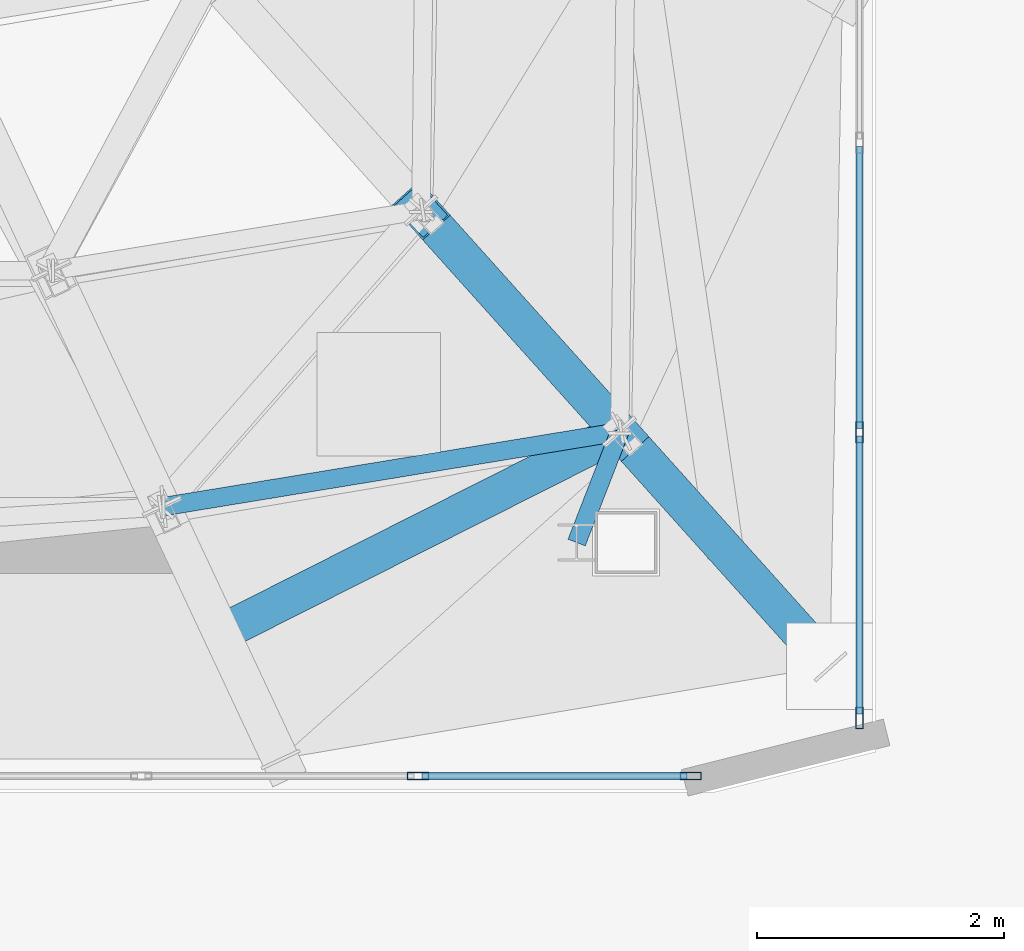
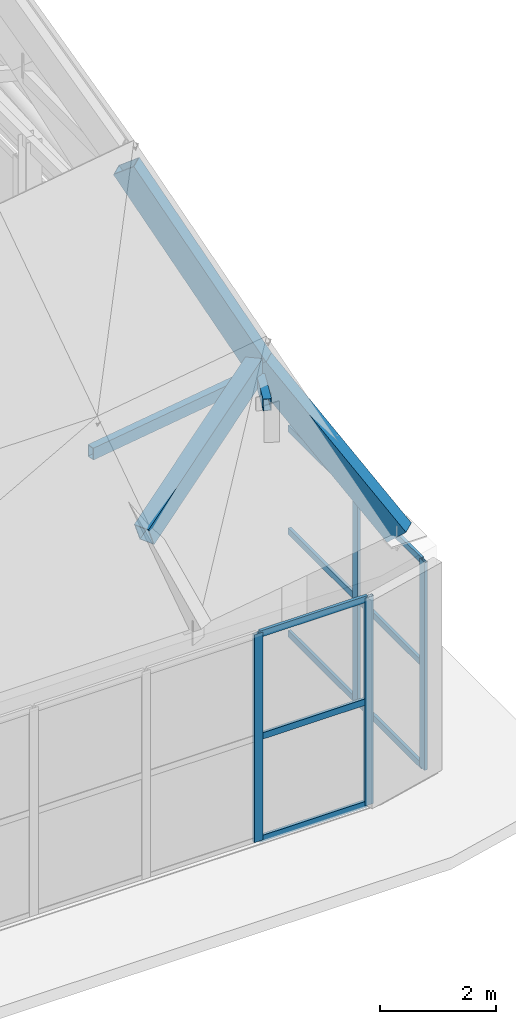
# One storey, part 7 of 30: 18 members, 2 elements without a shape of their own.
"""IFC4 building model written with IfcOpenShell, lengths in metres."""

from ifc_helpers import new_model, si_unit, direction, frame, origin, origin_2d, place, context, subcontext, project, spatial, hollow_rectangle, extrude, material, layer, layer_set, material_profile, profile_set, type_object, element, aggregate, save


model = new_model("IFC4")

# Units and contexts
model_context = context("Model", 3, precision=1e-05, world=origin(), true_north=direction((0.0, 1.0)))
body_context = subcontext(model_context, "Body", "Model", "MODEL_VIEW")
ifc_project = project(units=[si_unit("LENGTHUNIT", "METRE"), si_unit("AREAUNIT", "SQUARE_METRE"), si_unit("VOLUMEUNIT", "CUBIC_METRE"), si_unit("PLANEANGLEUNIT", "RADIAN"), si_unit("MASSUNIT", "GRAM", prefix="KILO")], contexts=[model_context])

# Site, building, storey
site_placement = place(None, origin())
site = spatial("IfcSite", under=ifc_project, at=site_placement, CompositionType="ELEMENT")
building_placement = place(site_placement, origin())
building = spatial("IfcBuilding", under=site, at=building_placement, Name="Haolan Belvedere Tower", CompositionType="ELEMENT")
storey_placement = place(building_placement, frame((0.0, 0.0, 333.0)))
storey = spatial("IfcBuildingStorey", under=building, at=storey_placement, Name="L83", CompositionType="ELEMENT", Elevation=333.0)

# Curtain wall, members
ifc_material_1 = material(Name="Anodised champagne-silver aluminium 6063-T6 and Low-E glass", Category="aluminium")
ifc_layer = layer(ifc_material_1, 0.172119140625, Name="Anodised champagne-silver aluminium 6063-T6 and Low-E glass")
ifc_layer_set = layer_set([ifc_layer], Name="Anodised champagne-silver aluminium 6063-T6 and Low-E glass")
curtain_wall_type = type_object("IfcCurtainWallType", Name="CW-SYS-07", PredefinedType="NOTDEFINED", material=ifc_layer_set)
curtain_wall_1_placement = place(storey_placement, origin())
curtain_wall_1 = element("IfcCurtainWall", 1, at=curtain_wall_1_placement, inside=storey, type_object=curtain_wall_type, Name="L83 CW-SYS-07 ribbon curtain wall 2.1", PredefinedType="NOTDEFINED")
ifc_material_2 = material(Name="Anodised aluminium 6063-T6", Category="aluminium")
ifc_material_profile_1 = material_profile(ifc_material_2, hollow_rectangle(XDim=0.06201171875, YDim=0.172119140625, WallThickness=0.00390625, at=origin_2d()), Name="Anodised aluminium 6063-T6")
ifc_profile_set_1 = profile_set([ifc_material_profile_1], Name="Anodised aluminium 6063-T6")
member_type_1 = type_object("IfcMemberType", Name="CW-SYS-07-MUL", PredefinedType="MULLION", material=ifc_profile_set_1)
member_1_placement = place(storey_placement, frame((45.115478515625, 24.510009765625, 0.0), z_axis=(0.0, 0.0, 1.0), x_axis=(0.0, 1.0, 0.0)))
member_1 = element("IfcMember", 2, at=member_1_placement, type_object=member_type_1, Name="CW-07 mullion 8", PredefinedType="MULLION", context=body_context, shape_type="SweptSolid", body=[
    extrude(hollow_rectangle(XDim=0.06201171875, YDim=0.172119140625, WallThickness=0.00390625, at=origin_2d()), origin(), (0.0, 0.0, 1.0), 4.3798828125),
])
member_2_placement = place(storey_placement, frame((47.322998046875, 24.510009765625, 0.0), z_axis=(0.0, 0.0, 1.0), x_axis=(0.0, 1.0, 0.0)))
member_2 = element("IfcMember", 3, at=member_2_placement, type_object=member_type_1, Name="CW-07 mullion 9", PredefinedType="MULLION", context=body_context, shape_type="SweptSolid", body=[
    extrude(hollow_rectangle(XDim=0.06201171875, YDim=0.172119140625, WallThickness=0.00390625, at=origin_2d()), origin(), (0.0, 0.0, 1.0), 4.3798828125),
])

curtain_wall_2_placement = place(storey_placement, origin())
curtain_wall_2 = element("IfcCurtainWall", 4, at=curtain_wall_2_placement, inside=storey, type_object=curtain_wall_type, Name="L83 CW-SYS-07 ribbon curtain wall 4.1", PredefinedType="NOTDEFINED")
member_3_placement = place(storey_placement, frame((48.68994140625, 24.97998046875, 0.0), z_axis=(0.0, 0.0, 1.0), x_axis=(-1.0, 0.0, 0.0)))
member_3 = element("IfcMember", 5, at=member_3_placement, type_object=member_type_1, Name="CW-07 mullion 1", PredefinedType="MULLION", context=body_context, shape_type="SweptSolid", body=[
    extrude(hollow_rectangle(XDim=0.06201171875, YDim=0.172119140625, WallThickness=0.00390625, at=origin_2d()), origin(), (0.0, 0.0, 1.0), 4.3798828125),
])
member_4_placement = place(storey_placement, frame((48.68994140625, 27.2919921875, 0.0), z_axis=(0.0, 0.0, 1.0), x_axis=(-1.0, 0.0, 0.0)))
member_4 = element("IfcMember", 6, at=member_4_placement, type_object=member_type_1, Name="CW-07 mullion 2", PredefinedType="MULLION", context=body_context, shape_type="SweptSolid", body=[
    extrude(hollow_rectangle(XDim=0.06201171875, YDim=0.172119140625, WallThickness=0.00390625, at=origin_2d()), origin(), (0.0, 0.0, 1.0), 4.3798828125),
])

# Member
ifc_material_profile_2 = material_profile(ifc_material_2, hollow_rectangle(XDim=0.05810546875, YDim=0.135009765625, WallThickness=0.00390625, at=origin_2d()), Name="Anodised aluminium 6063-T6")
ifc_profile_set_2 = profile_set([ifc_material_profile_2], Name="Anodised aluminium 6063-T6")
member_type_2 = type_object("IfcMemberType", Name="CW-SYS-07-TRN", PredefinedType="USERDEFINED", material=ifc_profile_set_2)
member_5_placement = place(storey_placement, frame((45.146484375, 24.510009765625, 0.029052734375), z_axis=(1.0, 0.0, 0.0), x_axis=(0.0, 1.0, 0.0)))
member_5 = element("IfcMember", 7, at=member_5_placement, type_object=member_type_2, Name="CW-07 transom 8.1", ObjectType="TRANSOM", PredefinedType="USERDEFINED", context=body_context, shape_type="SweptSolid", body=[
    extrude(hollow_rectangle(XDim=0.05810546875, YDim=0.135009765625, WallThickness=0.00390625, at=origin_2d()), origin(), (0.0, 0.0, 1.0), 2.1455078125),
])

member_6_placement = place(storey_placement, frame((45.146484375, 24.510009765625, 2.18994140625), z_axis=(1.0, 0.0, 0.0), x_axis=(0.0, 1.0, 0.0)))
member_6 = element("IfcMember", 8, at=member_6_placement, type_object=member_type_2, Name="CW-07 transom 8.2", ObjectType="TRANSOM", PredefinedType="USERDEFINED", context=body_context, shape_type="SweptSolid", body=[
    extrude(hollow_rectangle(XDim=0.05810546875, YDim=0.135009765625, WallThickness=0.00390625, at=origin_2d()), origin(), (0.0, 0.0, 1.0), 2.1455078125),
])

member_7_placement = place(storey_placement, frame((45.146484375, 24.510009765625, 4.35107421875), z_axis=(1.0, 0.0, 0.0), x_axis=(0.0, 1.0, 0.0)))
member_7 = element("IfcMember", 9, at=member_7_placement, type_object=member_type_2, Name="CW-07 transom 8.3", ObjectType="TRANSOM", PredefinedType="USERDEFINED", context=body_context, shape_type="SweptSolid", body=[
    extrude(hollow_rectangle(XDim=0.05810546875, YDim=0.135009765625, WallThickness=0.00390625, at=origin_2d()), origin(), (0.0, 0.0, 1.0), 2.1455078125),
])

aggregate(curtain_wall_1, [member_1, member_2, member_5, member_6, member_7])

member_8_placement = place(storey_placement, frame((48.68994140625, 25.010986328125, 0.029052734375), z_axis=(0.0, 1.0, 0.0), x_axis=(-1.0, 0.0, 0.0)))
member_8 = element("IfcMember", 10, at=member_8_placement, type_object=member_type_2, Name="CW-07 transom 1.1", ObjectType="TRANSOM", PredefinedType="USERDEFINED", context=body_context, shape_type="SweptSolid", body=[
    extrude(hollow_rectangle(XDim=0.05810546875, YDim=0.135009765625, WallThickness=0.00390625, at=origin_2d()), origin(), (0.0, 0.0, 1.0), 2.25),
])

member_9_placement = place(storey_placement, frame((48.68994140625, 25.010986328125, 2.18994140625), z_axis=(0.0, 1.0, 0.0), x_axis=(-1.0, 0.0, 0.0)))
member_9 = element("IfcMember", 11, at=member_9_placement, type_object=member_type_2, Name="CW-07 transom 1.2", ObjectType="TRANSOM", PredefinedType="USERDEFINED", context=body_context, shape_type="SweptSolid", body=[
    extrude(hollow_rectangle(XDim=0.05810546875, YDim=0.135009765625, WallThickness=0.00390625, at=origin_2d()), origin(), (0.0, 0.0, 1.0), 2.25),
])

member_10_placement = place(storey_placement, frame((48.68994140625, 25.010986328125, 4.35107421875), z_axis=(0.0, 1.0, 0.0), x_axis=(-1.0, 0.0, 0.0)))
member_10 = element("IfcMember", 12, at=member_10_placement, type_object=member_type_2, Name="CW-07 transom 1.3", ObjectType="TRANSOM", PredefinedType="USERDEFINED", context=body_context, shape_type="SweptSolid", body=[
    extrude(hollow_rectangle(XDim=0.05810546875, YDim=0.135009765625, WallThickness=0.00390625, at=origin_2d()), origin(), (0.0, 0.0, 1.0), 2.25),
])

member_11_placement = place(storey_placement, frame((48.68994140625, 27.322998046875, 0.029052734375), z_axis=(0.0, 1.0, 0.0), x_axis=(-1.0, 0.0, 0.0)))
member_11 = element("IfcMember", 13, at=member_11_placement, type_object=member_type_2, Name="CW-07 transom 2.1", ObjectType="TRANSOM", PredefinedType="USERDEFINED", context=body_context, shape_type="SweptSolid", body=[
    extrude(hollow_rectangle(XDim=0.05810546875, YDim=0.135009765625, WallThickness=0.00390625, at=origin_2d()), origin(), (0.0, 0.0, 1.0), 2.281005859375),
])

member_12_placement = place(storey_placement, frame((48.68994140625, 27.322998046875, 2.18994140625), z_axis=(0.0, 1.0, 0.0), x_axis=(-1.0, 0.0, 0.0)))
member_12 = element("IfcMember", 14, at=member_12_placement, type_object=member_type_2, Name="CW-07 transom 2.2", ObjectType="TRANSOM", PredefinedType="USERDEFINED", context=body_context, shape_type="SweptSolid", body=[
    extrude(hollow_rectangle(XDim=0.05810546875, YDim=0.135009765625, WallThickness=0.00390625, at=origin_2d()), origin(), (0.0, 0.0, 1.0), 2.281005859375),
])

member_13_placement = place(storey_placement, frame((48.68994140625, 27.322998046875, 4.35107421875), z_axis=(0.0, 1.0, 0.0), x_axis=(-1.0, 0.0, 0.0)))
member_13 = element("IfcMember", 15, at=member_13_placement, type_object=member_type_2, Name="CW-07 transom 2.3", ObjectType="TRANSOM", PredefinedType="USERDEFINED", context=body_context, shape_type="SweptSolid", body=[
    extrude(hollow_rectangle(XDim=0.05810546875, YDim=0.135009765625, WallThickness=0.00390625, at=origin_2d()), origin(), (0.0, 0.0, 1.0), 2.281005859375),
])

aggregate(curtain_wall_2, [member_3, member_4, member_8, member_9, member_10, member_11, member_12, member_13])

# Members
ifc_material_3 = material(Name="Steel Q355B", Category="steel")
ifc_material_profile_3 = material_profile(ifc_material_3, hollow_rectangle(XDim=0.300048828125, YDim=0.449951171875, WallThickness=0.01611328125, at=origin_2d()), Name="Steel Q355B")
ifc_profile_set_3 = profile_set([ifc_material_profile_3], Name="Steel Q355B")
member_type_3 = type_object("IfcMemberType", Name="MEM-BOX450x300x16", PredefinedType="RAFTER", material=ifc_profile_set_3)
member_14_placement = place(storey_placement, frame((43.522216796875, 25.66943359375, 6.302001953125), z_axis=(0.822898148646, 0.414905059737, 0.388191226535), x_axis=(-0.450211136019, 0.892922131546, 0.0)))
element("IfcMember", 16, at=member_14_placement, inside=storey, type_object=member_type_3, Name="Crown frame Tier-1 diagonal hip rafter 03", PredefinedType="RAFTER", context=body_context, shape_type="SweptSolid", body=[
    extrude(hollow_rectangle(XDim=0.300048828125, YDim=0.449951171875, WallThickness=0.01611328125, at=origin_2d()), origin(), (0.0, 0.0, 1.0), 3.920654296875),
])
member_15_placement = place(storey_placement, frame((48.449951171875, 25.39990234375, 4.780029296875), z_axis=(-0.428632908106, 0.477714420614, 0.766852503697), x_axis=(-0.74430823705, -0.667836243595, 0.0)))
element("IfcMember", 17, at=member_15_placement, inside=storey, type_object=member_type_3, Name="Crown frame sloped hip rafter T1-04", PredefinedType="RAFTER", context=body_context, shape_type="SweptSolid", body=[
    extrude(hollow_rectangle(XDim=0.300048828125, YDim=0.449951171875, WallThickness=0.01611328125, at=origin_2d()), origin(), (0.0, 0.0, 1.0), 3.969482421875),
])
member_16_placement = place(storey_placement, frame((46.74853515625, 27.296142578125, 7.823974609375), z_axis=(-0.370855219116, 0.413249932945, 0.831679565323), x_axis=(-0.744251330304, -0.667899661132, 0.0)))
element("IfcMember", 18, at=member_16_placement, inside=storey, type_object=member_type_3, Name="Crown frame sloped hip rafter T2-04", PredefinedType="RAFTER", context=body_context, shape_type="SweptSolid", body=[
    extrude(hollow_rectangle(XDim=0.300048828125, YDim=0.449951171875, WallThickness=0.01611328125, at=origin_2d()), origin(), (0.0, 0.0, 1.0), 4.33642578125),
])
ifc_material_profile_4 = material_profile(ifc_material_3, hollow_rectangle(XDim=0.14990234375, YDim=0.25, WallThickness=0.010009765625, at=origin_2d()), Name="Steel Q355B")
ifc_profile_set_4 = profile_set([ifc_material_profile_4], Name="Steel Q355B")
member_type_4 = type_object("IfcMemberType", Name="MEM-RHS250x150x10", PredefinedType="PURLIN", material=ifc_profile_set_4)
member_17_placement = place(storey_placement, frame((46.39990234375, 26.39990234375, 7.583984375), z_axis=(0.362532018654, 0.931971316861, 0.0), x_axis=(-0.931971316861, 0.362532018654, 0.0)))
element("IfcMember", 19, at=member_17_placement, inside=storey, type_object=member_type_4, Name="Crown Tier-1 post-to-ring chord 04", PredefinedType="STRUT", context=body_context, shape_type="SweptSolid", body=[
    extrude(hollow_rectangle(XDim=0.14990234375, YDim=0.25, WallThickness=0.010009765625, at=origin_2d()), origin(), (0.0, 0.0, 1.0), 0.961669921875),
])
member_18_placement = place(storey_placement, frame((43.044677734375, 26.688720703125, 7.583984375), z_axis=(0.986817789709, 0.161835255474, 0.0), x_axis=(-0.161835255474, 0.986817789709, 0.0)))
element("IfcMember", 20, at=member_18_placement, inside=storey, type_object=member_type_4, Name="Crown frame horizontal ring purlin T1-03", PredefinedType="PURLIN", context=body_context, shape_type="SweptSolid", body=[
    extrude(hollow_rectangle(XDim=0.14990234375, YDim=0.25, WallThickness=0.010009765625, at=origin_2d()), origin(), (0.0, 0.0, 1.0), 3.75341796875),
])

save(model, "model.ifc")
